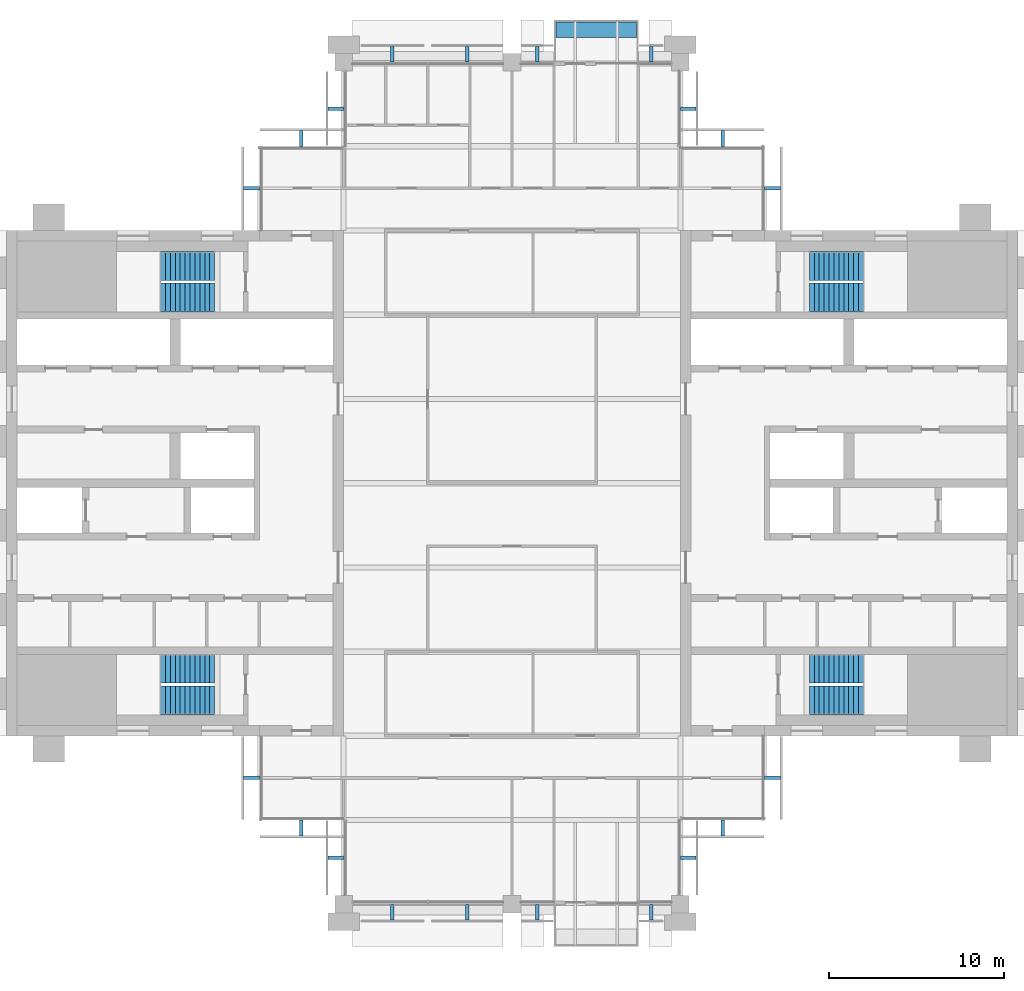
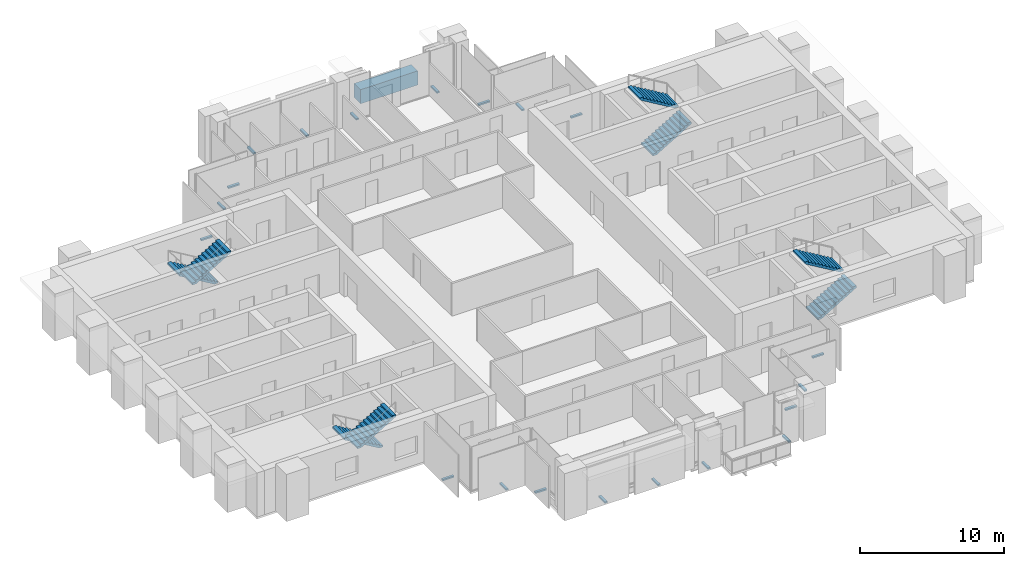
# One storey, part 12 of 13: 20 discrete accessories, 8 stair flights, 1 wall, 4 elements without a shape of their own.
"""IFC4 building model written with IfcOpenShell, lengths in metres."""

from ifc_helpers import new_model, si_unit, direction, frame, frame_2d, origin, origin_2d, place, context, subcontext, project, spatial, polyline, rectangle, outline, extrude, material, layer, layer_set, type_object, element, aggregate, save


model = new_model("IFC4")

# Units and contexts
model_context = context("Model", 3, precision=1e-05, world=origin(), true_north=direction((0.0, 1.0)))
body_context = subcontext(model_context, "Body", "Model", "MODEL_VIEW")
ifc_project = project(units=[si_unit("LENGTHUNIT", "METRE"), si_unit("AREAUNIT", "SQUARE_METRE"), si_unit("VOLUMEUNIT", "CUBIC_METRE"), si_unit("PLANEANGLEUNIT", "RADIAN"), si_unit("MASSUNIT", "GRAM", prefix="KILO")], contexts=[model_context])

# Site, building, storey
site_placement = place(None, origin())
site = spatial("IfcSite", under=ifc_project, at=site_placement, CompositionType="ELEMENT")
building_placement = place(site_placement, origin())
building = spatial("IfcBuilding", under=site, at=building_placement, Name="Baori Bourse Tower", CompositionType="ELEMENT")
storey_placement = place(building_placement, frame((0.0, 0.0, 350.300048828125)))
storey = spatial("IfcBuildingStorey", under=building, at=storey_placement, Name="L78", CompositionType="ELEMENT", Elevation=350.300048828125)

# Wall
ifc_material_1 = material(Name="Concrete f'c 40 MPa", Category="concrete")
ifc_layer = layer(ifc_material_1, 0.89990234375)
ifc_layer_set = layer_set([ifc_layer], Name="PW1 Planter wall")
wall_type = type_object("IfcWallType", Name="PW1 Planter wall", PredefinedType="USERDEFINED", material=ifc_layer_set)
wall_placement = place(storey_placement, frame((31.300048828125, 49.85009765625, 0.0), z_axis=(0.0, 0.0, 1.0), x_axis=(1.0, 0.0, 0.0)))
element("IfcWall", 1, at=wall_placement, inside=storey, type_object=wall_type, Name="Planter balcony N L78 2", ObjectType="PLANTER", PredefinedType="USERDEFINED", context=body_context, shape_type="SweptSolid", body=[
    extrude(rectangle(XDim=4.599853515625, YDim=0.89990234375, at=frame_2d((2.2998046875, 0.0))), origin(), (0.0, 0.0, 1.0), 1.199951171875),
])

# Stair, stair flights
ifc_material_2 = material(Name="Concrete f'c 50 MPa", Category="concrete")
stair_type = type_object("IfcStairType", Name="Core stair", PredefinedType="HALF_TURN_STAIR", material=ifc_material_2)
stair_1_placement = place(storey_placement, origin())
stair_1 = element("IfcStair", 2, at=stair_1_placement, inside=storey, type_object=stair_type, Name="L78 Stair WA", PredefinedType="HALF_TURN_STAIR")
ifc_material_3 = material(Name="Concrete f'c 50 MPa", Category="concrete")
stair_flight_type = type_object("IfcStairFlightType", Name="Core stair flight", PredefinedType="STRAIGHT", material=ifc_material_3)
stair_flight_1_placement = place(storey_placement, frame((11.85009765625, 13.425048828125, 0.0), z_axis=(0.0, 0.0, 1.0), x_axis=(-1.0, 0.0, 0.0)))
stair_flight_1 = element("IfcStairFlight", 3, at=stair_flight_1_placement, type_object=stair_flight_type, Name="ST1 flight 1", NumberOfRisers=12, NumberOfTreads=11, PredefinedType="STRAIGHT", RiserHeight=0.166666667, TreadLength=0.28, context=body_context, shape_type="SweptSolid", body=[
    extrude(outline(polyline([(0.0, 0.0), (0.0, 0.166748046875), (0.280029296875, 0.166748046875), (0.280029296875, 0.333251953125), (0.56005859375, 0.333251953125), (0.56005859375, 0.5), (0.840087890625, 0.5), (0.840087890625, 0.666748046875), (1.1201171875, 0.666748046875), (1.1201171875, 0.833251953125), (1.39990234375, 0.833251953125), (1.39990234375, 1.0), (1.679931640625, 1.0), (1.679931640625, 1.166748046875), (1.9599609375, 1.166748046875), (1.9599609375, 1.333251953125), (2.239990234375, 1.333251953125), (2.239990234375, 1.5), (2.52001953125, 1.5), (2.52001953125, 1.666748046875), (2.800048828125, 1.666748046875), (2.800048828125, 1.833251953125), (3.080078125, 1.833251953125), (3.080078125, 2.0), (3.080078125, 1.658935546875), (0.29296875, 0.0), (0.0, 0.0)])), frame((0.0, 0.824951171875, 0.0), z_axis=(0.0, -1.0, 0.0), x_axis=(1.0, 0.0, 0.0)), (0.0, 0.0, 1.0), 1.64990234375),
])
stair_flight_2_placement = place(storey_placement, frame((8.77001953125, 11.625, 2.0), z_axis=(0.0, 0.0, 1.0), x_axis=(1.0, 0.0, 0.0)))
stair_flight_2 = element("IfcStairFlight", 4, at=stair_flight_2_placement, type_object=stair_flight_type, Name="ST1 flight 2", NumberOfRisers=12, NumberOfTreads=11, PredefinedType="STRAIGHT", RiserHeight=0.166666667, TreadLength=0.28, context=body_context, shape_type="SweptSolid", body=[
    extrude(outline(polyline([(0.0, 0.0), (0.0, 0.166748046875), (0.280029296875, 0.166748046875), (0.280029296875, 0.333251953125), (0.56005859375, 0.333251953125), (0.56005859375, 0.5), (0.840087890625, 0.5), (0.840087890625, 0.666748046875), (1.1201171875, 0.666748046875), (1.1201171875, 0.833251953125), (1.39990234375, 0.833251953125), (1.39990234375, 1.0), (1.679931640625, 1.0), (1.679931640625, 1.166748046875), (1.9599609375, 1.166748046875), (1.9599609375, 1.333251953125), (2.239990234375, 1.333251953125), (2.239990234375, 1.5), (2.52001953125, 1.5), (2.52001953125, 1.666748046875), (2.800048828125, 1.666748046875), (2.800048828125, 1.833251953125), (3.080078125, 1.833251953125), (3.080078125, 2.0), (3.080078125, 1.658935546875), (0.29296875, 0.0), (0.0, 0.0)])), frame((0.0, 0.824951171875, 0.0), z_axis=(0.0, -1.0, 0.0), x_axis=(1.0, 0.0, 0.0)), (0.0, 0.0, 1.0), 1.64990234375),
])
aggregate(stair_1, [stair_flight_1, stair_flight_2])

stair_2_placement = place(storey_placement, origin())
stair_2 = element("IfcStair", 5, at=stair_2_placement, inside=storey, type_object=stair_type, Name="L78 Stair WB", PredefinedType="HALF_TURN_STAIR")
stair_flight_3_placement = place(storey_placement, frame((11.85009765625, 36.375, 0.0), z_axis=(0.0, 0.0, 1.0), x_axis=(-1.0, 0.0, 0.0)))
stair_flight_3 = element("IfcStairFlight", 6, at=stair_flight_3_placement, type_object=stair_flight_type, Name="ST2 flight 1", NumberOfRisers=12, NumberOfTreads=11, PredefinedType="STRAIGHT", RiserHeight=0.166666667, TreadLength=0.28, context=body_context, shape_type="SweptSolid", body=[
    extrude(outline(polyline([(0.0, 0.0), (0.0, 0.166748046875), (0.280029296875, 0.166748046875), (0.280029296875, 0.333251953125), (0.56005859375, 0.333251953125), (0.56005859375, 0.5), (0.840087890625, 0.5), (0.840087890625, 0.666748046875), (1.1201171875, 0.666748046875), (1.1201171875, 0.833251953125), (1.39990234375, 0.833251953125), (1.39990234375, 1.0), (1.679931640625, 1.0), (1.679931640625, 1.166748046875), (1.9599609375, 1.166748046875), (1.9599609375, 1.333251953125), (2.239990234375, 1.333251953125), (2.239990234375, 1.5), (2.52001953125, 1.5), (2.52001953125, 1.666748046875), (2.800048828125, 1.666748046875), (2.800048828125, 1.833251953125), (3.080078125, 1.833251953125), (3.080078125, 2.0), (3.080078125, 1.658935546875), (0.29296875, 0.0), (0.0, 0.0)])), frame((0.0, 0.824951171875, 0.0), z_axis=(0.0, -1.0, 0.0), x_axis=(1.0, 0.0, 0.0)), (0.0, 0.0, 1.0), 1.64990234375),
])
stair_flight_4_placement = place(storey_placement, frame((8.77001953125, 34.574951171875, 2.0), z_axis=(0.0, 0.0, 1.0), x_axis=(1.0, 0.0, 0.0)))
stair_flight_4 = element("IfcStairFlight", 7, at=stair_flight_4_placement, type_object=stair_flight_type, Name="ST2 flight 2", NumberOfRisers=12, NumberOfTreads=11, PredefinedType="STRAIGHT", RiserHeight=0.166666667, TreadLength=0.28, context=body_context, shape_type="SweptSolid", body=[
    extrude(outline(polyline([(0.0, 0.0), (0.0, 0.166748046875), (0.280029296875, 0.166748046875), (0.280029296875, 0.333251953125), (0.56005859375, 0.333251953125), (0.56005859375, 0.5), (0.840087890625, 0.5), (0.840087890625, 0.666748046875), (1.1201171875, 0.666748046875), (1.1201171875, 0.833251953125), (1.39990234375, 0.833251953125), (1.39990234375, 1.0), (1.679931640625, 1.0), (1.679931640625, 1.166748046875), (1.9599609375, 1.166748046875), (1.9599609375, 1.333251953125), (2.239990234375, 1.333251953125), (2.239990234375, 1.5), (2.52001953125, 1.5), (2.52001953125, 1.666748046875), (2.800048828125, 1.666748046875), (2.800048828125, 1.833251953125), (3.080078125, 1.833251953125), (3.080078125, 2.0), (3.080078125, 1.658935546875), (0.29296875, 0.0), (0.0, 0.0)])), frame((0.0, 0.824951171875, 0.0), z_axis=(0.0, -1.0, 0.0), x_axis=(1.0, 0.0, 0.0)), (0.0, 0.0, 1.0), 1.64990234375),
])
aggregate(stair_2, [stair_flight_3, stair_flight_4])

stair_3_placement = place(storey_placement, origin())
stair_3 = element("IfcStair", 8, at=stair_3_placement, inside=storey, type_object=stair_type, Name="L78 Stair EA", PredefinedType="HALF_TURN_STAIR")
stair_flight_5_placement = place(storey_placement, frame((45.75, 11.625, 0.0), z_axis=(0.0, 0.0, 1.0), x_axis=(1.0, 0.0, 0.0)))
stair_flight_5 = element("IfcStairFlight", 9, at=stair_flight_5_placement, type_object=stair_flight_type, Name="ST3 flight 1", NumberOfRisers=12, NumberOfTreads=11, PredefinedType="STRAIGHT", RiserHeight=0.166666667, TreadLength=0.28, context=body_context, shape_type="SweptSolid", body=[
    extrude(outline(polyline([(0.0, 0.0), (0.0, 0.166748046875), (0.280029296875, 0.166748046875), (0.280029296875, 0.333251953125), (0.56005859375, 0.333251953125), (0.56005859375, 0.5), (0.840087890625, 0.5), (0.840087890625, 0.666748046875), (1.1201171875, 0.666748046875), (1.1201171875, 0.833251953125), (1.39990234375, 0.833251953125), (1.39990234375, 1.0), (1.679931640625, 1.0), (1.679931640625, 1.166748046875), (1.9599609375, 1.166748046875), (1.9599609375, 1.333251953125), (2.239990234375, 1.333251953125), (2.239990234375, 1.5), (2.52001953125, 1.5), (2.52001953125, 1.666748046875), (2.800048828125, 1.666748046875), (2.800048828125, 1.833251953125), (3.080078125, 1.833251953125), (3.080078125, 2.0), (3.080078125, 1.658935546875), (0.29296875, 0.0), (0.0, 0.0)])), frame((0.0, 0.824951171875, 0.0), z_axis=(0.0, -1.0, 0.0), x_axis=(1.0, 0.0, 0.0)), (0.0, 0.0, 1.0), 1.64990234375),
])
stair_flight_6_placement = place(storey_placement, frame((48.830078125, 13.425048828125, 2.0), z_axis=(0.0, 0.0, 1.0), x_axis=(-1.0, 0.0, 0.0)))
stair_flight_6 = element("IfcStairFlight", 10, at=stair_flight_6_placement, type_object=stair_flight_type, Name="ST3 flight 2", NumberOfRisers=12, NumberOfTreads=11, PredefinedType="STRAIGHT", RiserHeight=0.166666667, TreadLength=0.28, context=body_context, shape_type="SweptSolid", body=[
    extrude(outline(polyline([(0.0, 0.0), (0.0, 0.166748046875), (0.280029296875, 0.166748046875), (0.280029296875, 0.333251953125), (0.56005859375, 0.333251953125), (0.56005859375, 0.5), (0.840087890625, 0.5), (0.840087890625, 0.666748046875), (1.1201171875, 0.666748046875), (1.1201171875, 0.833251953125), (1.39990234375, 0.833251953125), (1.39990234375, 1.0), (1.679931640625, 1.0), (1.679931640625, 1.166748046875), (1.9599609375, 1.166748046875), (1.9599609375, 1.333251953125), (2.239990234375, 1.333251953125), (2.239990234375, 1.5), (2.52001953125, 1.5), (2.52001953125, 1.666748046875), (2.800048828125, 1.666748046875), (2.800048828125, 1.833251953125), (3.080078125, 1.833251953125), (3.080078125, 2.0), (3.080078125, 1.658935546875), (0.29296875, 0.0), (0.0, 0.0)])), frame((0.0, 0.824951171875, 0.0), z_axis=(0.0, -1.0, 0.0), x_axis=(1.0, 0.0, 0.0)), (0.0, 0.0, 1.0), 1.64990234375),
])
aggregate(stair_3, [stair_flight_5, stair_flight_6])

stair_4_placement = place(storey_placement, origin())
stair_4 = element("IfcStair", 11, at=stair_4_placement, inside=storey, type_object=stair_type, Name="L78 Stair EB", PredefinedType="HALF_TURN_STAIR")
stair_flight_7_placement = place(storey_placement, frame((45.75, 34.574951171875, 0.0), z_axis=(0.0, 0.0, 1.0), x_axis=(1.0, 0.0, 0.0)))
stair_flight_7 = element("IfcStairFlight", 12, at=stair_flight_7_placement, type_object=stair_flight_type, Name="ST4 flight 1", NumberOfRisers=12, NumberOfTreads=11, PredefinedType="STRAIGHT", RiserHeight=0.166666667, TreadLength=0.28, context=body_context, shape_type="SweptSolid", body=[
    extrude(outline(polyline([(0.0, 0.0), (0.0, 0.166748046875), (0.280029296875, 0.166748046875), (0.280029296875, 0.333251953125), (0.56005859375, 0.333251953125), (0.56005859375, 0.5), (0.840087890625, 0.5), (0.840087890625, 0.666748046875), (1.1201171875, 0.666748046875), (1.1201171875, 0.833251953125), (1.39990234375, 0.833251953125), (1.39990234375, 1.0), (1.679931640625, 1.0), (1.679931640625, 1.166748046875), (1.9599609375, 1.166748046875), (1.9599609375, 1.333251953125), (2.239990234375, 1.333251953125), (2.239990234375, 1.5), (2.52001953125, 1.5), (2.52001953125, 1.666748046875), (2.800048828125, 1.666748046875), (2.800048828125, 1.833251953125), (3.080078125, 1.833251953125), (3.080078125, 2.0), (3.080078125, 1.658935546875), (0.29296875, 0.0), (0.0, 0.0)])), frame((0.0, 0.824951171875, 0.0), z_axis=(0.0, -1.0, 0.0), x_axis=(1.0, 0.0, 0.0)), (0.0, 0.0, 1.0), 1.64990234375),
])
stair_flight_8_placement = place(storey_placement, frame((48.830078125, 36.375, 2.0), z_axis=(0.0, 0.0, 1.0), x_axis=(-1.0, 0.0, 0.0)))
stair_flight_8 = element("IfcStairFlight", 13, at=stair_flight_8_placement, type_object=stair_flight_type, Name="ST4 flight 2", NumberOfRisers=12, NumberOfTreads=11, PredefinedType="STRAIGHT", RiserHeight=0.166666667, TreadLength=0.28, context=body_context, shape_type="SweptSolid", body=[
    extrude(outline(polyline([(0.0, 0.0), (0.0, 0.166748046875), (0.280029296875, 0.166748046875), (0.280029296875, 0.333251953125), (0.56005859375, 0.333251953125), (0.56005859375, 0.5), (0.840087890625, 0.5), (0.840087890625, 0.666748046875), (1.1201171875, 0.666748046875), (1.1201171875, 0.833251953125), (1.39990234375, 0.833251953125), (1.39990234375, 1.0), (1.679931640625, 1.0), (1.679931640625, 1.166748046875), (1.9599609375, 1.166748046875), (1.9599609375, 1.333251953125), (2.239990234375, 1.333251953125), (2.239990234375, 1.5), (2.52001953125, 1.5), (2.52001953125, 1.666748046875), (2.800048828125, 1.666748046875), (2.800048828125, 1.833251953125), (3.080078125, 1.833251953125), (3.080078125, 2.0), (3.080078125, 1.658935546875), (0.29296875, 0.0), (0.0, 0.0)])), frame((0.0, 0.824951171875, 0.0), z_axis=(0.0, -1.0, 0.0), x_axis=(1.0, 0.0, 0.0)), (0.0, 0.0, 1.0), 1.64990234375),
])
aggregate(stair_4, [stair_flight_7, stair_flight_8])

# Discrete accessories
ifc_material_4 = material(Name="Pale anodised aluminium", Category="aluminium")
discrete_accessory_type = type_object("IfcDiscreteAccessoryType", Name="OS2 Outer skin bracket", PredefinedType="BRACKET", material=ifc_material_4)
for number, where, z_axis, x_axis, name in (
    (14, (43.64990234375, 40.800048828125, -0.14404296875), (0.0, 0.0, 1.0), (0.0, 1.0, 0.0), "Outer skin bracket L78 1"),
    (15, (40.800048828125, 43.64990234375, -0.14404296875), (0.0, 0.0, 1.0), (-1.0, 0.0, 0.0), "Outer skin bracket L78 2"),
    (16, (38.85009765625, 45.35009765625, -0.14404296875), (0.0, 0.0, 1.0), (0.0, 1.0, 0.0), "Outer skin bracket L78 3"),
    (17, (36.72509765625, 48.449951171875, -0.14404296875), (0.0, 0.0, 1.0), (-1.0, 0.0, 0.0), "Outer skin bracket L78 4"),
    (18, (30.25, 48.449951171875, -0.14404296875), (0.0, 0.0, 1.0), (-1.0, 0.0, 0.0), "Outer skin bracket L78 5"),
    (19, (26.237548828125, 48.449951171875, -0.14404296875), (0.0, 0.0, 1.0), (-1.0, 0.0, 0.0), "Outer skin bracket L78 6"),
    (20, (21.987548828125, 48.449951171875, -0.14404296875), (0.0, 0.0, 1.0), (-1.0, 0.0, 0.0), "Outer skin bracket L78 7"),
    (21, (18.75, 45.35009765625, -0.14404296875), (0.0, 0.0, 1.0), (0.0, -1.0, 0.0), "Outer skin bracket L78 8"),
    (22, (16.800048828125, 43.64990234375, -0.14404296875), (0.0, 0.0, 1.0), (-1.0, 0.0, 0.0), "Outer skin bracket L78 9"),
    (23, (13.949951171875, 40.800048828125, -0.14404296875), (0.0, 0.0, 1.0), (0.0, -1.0, 0.0), "Outer skin bracket L78 10"),
    (24, (13.949951171875, 7.199951171875, -0.14404296875), (0.0, 0.0, 1.0), (0.0, -1.0, 0.0), "Outer skin bracket L78 11"),
    (25, (16.800048828125, 4.35009765625, -0.14404296875), (0.0, 0.0, 1.0), (1.0, 0.0, 0.0), "Outer skin bracket L78 12"),
    (26, (18.75, 2.64990234375, -0.14404296875), (0.0, 0.0, 1.0), (0.0, -1.0, 0.0), "Outer skin bracket L78 13"),
    (27, (21.987548828125, -0.449951171875, -0.14404296875), (0.0, 0.0, 1.0), (1.0, 0.0, 0.0), "Outer skin bracket L78 14"),
    (28, (26.237548828125, -0.449951171875, -0.14404296875), (0.0, 0.0, 1.0), (1.0, 0.0, 0.0), "Outer skin bracket L78 15"),
    (29, (30.25, -0.449951171875, -0.14404296875), (0.0, 0.0, 1.0), (1.0, 0.0, 0.0), "Outer skin bracket L78 16"),
    (30, (36.72509765625, -0.449951171875, -0.14404296875), (0.0, 0.0, 1.0), (1.0, 0.0, 0.0), "Outer skin bracket L78 17"),
    (31, (38.85009765625, 2.64990234375, -0.14404296875), (0.0, 0.0, 1.0), (0.0, 1.0, 0.0), "Outer skin bracket L78 18"),
    (32, (40.800048828125, 4.35009765625, -0.14404296875), (0.0, 0.0, 1.0), (1.0, 0.0, 0.0), "Outer skin bracket L78 19"),
    (33, (43.64990234375, 7.199951171875, -0.14404296875), (0.0, 0.0, 1.0), (0.0, 1.0, 0.0), "Outer skin bracket L78 20"),
):
    element("IfcDiscreteAccessory", number, at=place(storey_placement, frame(where, z_axis=z_axis, x_axis=x_axis)), inside=storey, type_object=discrete_accessory_type, Name=name, PredefinedType="BRACKET", context=body_context, shape_type="SweptSolid", body=[
        extrude(rectangle(XDim=0.199951171875, YDim=0.89990234375, at=origin_2d()), origin(), (0.0, 0.0, 1.0), 0.1279296875),
    ])

save(model, "model.ifc")
